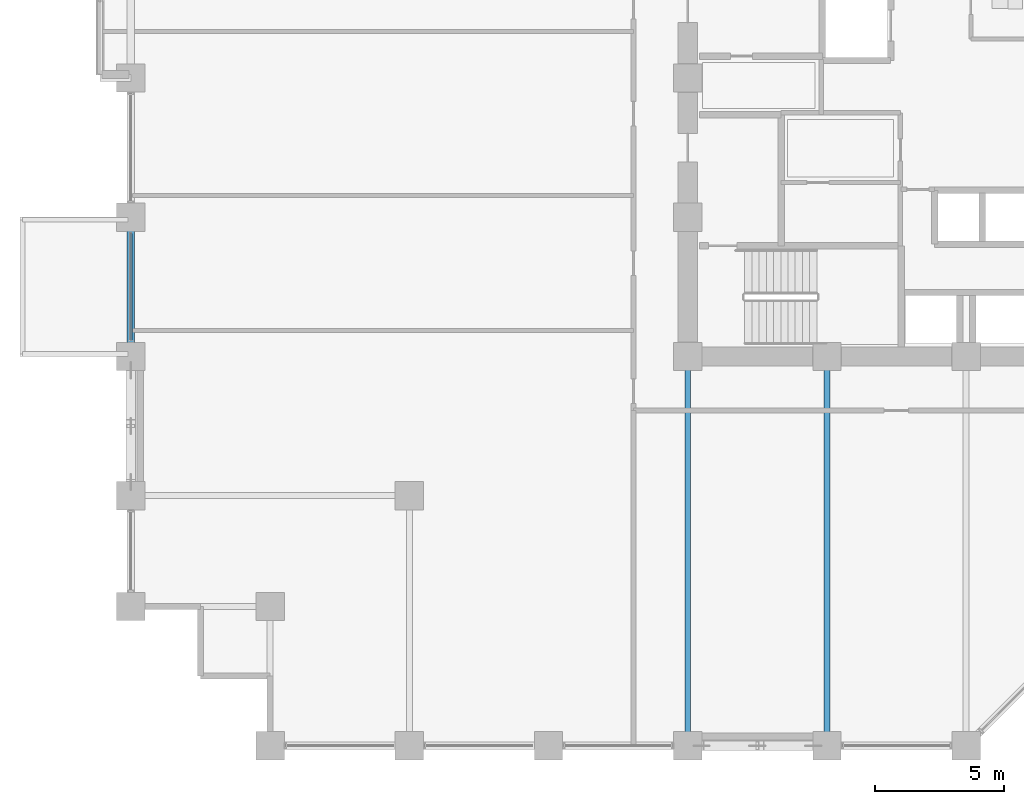
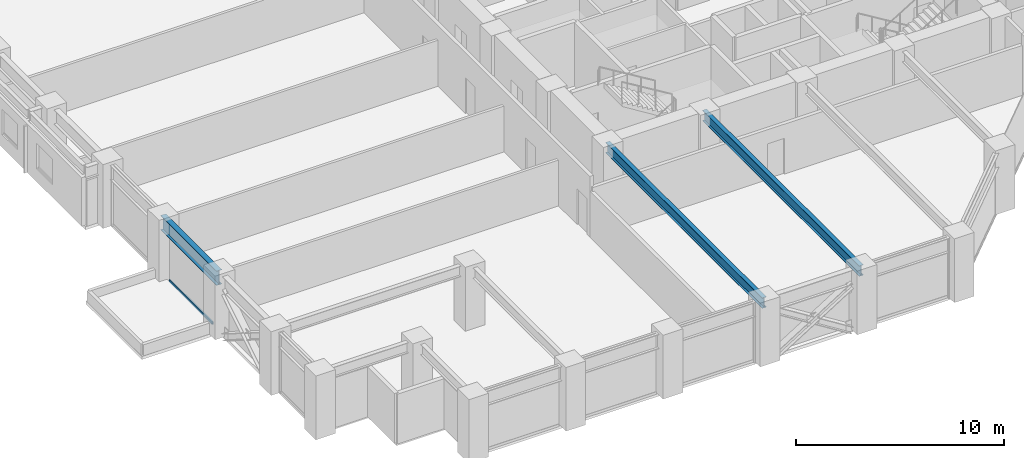
# One storey, part 4 of 25: 3 beams, 1 member, 1 element without a shape of its own.
"""IFC4 building model written with IfcOpenShell, lengths in metres."""

from ifc_helpers import new_model, si_unit, direction, frame, origin, origin_2d, place, context, subcontext, project, spatial, hollow_rectangle, i_section, extrude, material, layer, layer_set, material_profile, profile_set, type_object, element, aggregate, save


model = new_model("IFC4")

# Units and contexts
model_context = context("Model", 3, precision=1e-05, world=origin(), true_north=direction((0.0, 1.0)))
body_context = subcontext(model_context, "Body", "Model", "MODEL_VIEW")
ifc_project = project(units=[si_unit("LENGTHUNIT", "METRE"), si_unit("AREAUNIT", "SQUARE_METRE"), si_unit("VOLUMEUNIT", "CUBIC_METRE"), si_unit("PLANEANGLEUNIT", "RADIAN"), si_unit("MASSUNIT", "GRAM", prefix="KILO")], contexts=[model_context])

# Site, building, storey
site_placement = place(None, origin())
site = spatial("IfcSite", under=ifc_project, at=site_placement, CompositionType="ELEMENT")
building_placement = place(site_placement, origin())
building = spatial("IfcBuilding", under=site, at=building_placement, Name="Surkhivell Harbour Commons", CompositionType="ELEMENT")
storey_placement = place(building_placement, frame((0.0, 0.0, 94.5)))
storey = spatial("IfcBuildingStorey", under=building, at=storey_placement, Name="L24", CompositionType="ELEMENT", Elevation=94.5)

# Beams
ifc_material_1 = material(Name="Steel S355", Category="steel")
ifc_material_profile_1 = material_profile(ifc_material_1, i_section(OverallWidth=0.22998046875, OverallDepth=0.616943359375, WebThickness=0.01318359375, FlangeThickness=0.022216796875, at=origin_2d()), Name="UB610x229x140")
ifc_profile_set_1 = profile_set([ifc_material_profile_1], Name="Steel S355")
beam_type_1 = type_object("IfcBeamType", Name="BM-GRD-610B", PredefinedType="BEAM", material=ifc_profile_set_1)
for number, where, z_axis, x_axis, name in (
    (1, (-10.800048828125, -25.89990234375, 3.261474609375), (0.0, 1.0, 0.0), (-1.0, 0.0, 0.0), "L24 Floor Girder (-10.8,-25.9)"),
    (2, (-5.39990234375, -25.89990234375, 3.261474609375), (0.0, 1.0, 0.0), (-1.0, 0.0, 0.0), "L24 Floor Girder (-5.4,-25.9)"),
):
    element("IfcBeam", number, at=place(storey_placement, frame(where, z_axis=z_axis, x_axis=x_axis)), inside=storey, type_object=beam_type_1, Name=name, PredefinedType="BEAM", context=body_context, shape_type="SweptSolid", body=[
        extrude(i_section(OverallWidth=0.22998046875, OverallDepth=0.616943359375, WebThickness=0.01318359375, FlangeThickness=0.022216796875, at=origin_2d()), origin(), (0.0, 0.0, 1.0), 15.099853515625),
    ])
ifc_material_2 = material(Name="Steel S460", Category="steel")
ifc_material_profile_2 = material_profile(ifc_material_2, i_section(OverallWidth=0.2939453125, OverallDepth=0.85107421875, WebThickness=0.01611328125, FlangeThickness=0.02685546875, at=origin_2d()), Name="UB838x292x226")
ifc_profile_set_2 = profile_set([ifc_material_profile_2], Name="Steel S460")
beam_type_2 = type_object("IfcBeamType", Name="BM-SPN-838", PredefinedType="SPANDREL", material=ifc_profile_set_2)
beam_placement = place(storey_placement, frame((-32.39990234375, -10.800048828125, 3.14453125), z_axis=(0.0, 1.0, 0.0), x_axis=(-1.0, 0.0, 0.0)))
element("IfcBeam", 3, at=beam_placement, inside=storey, type_object=beam_type_2, Name="L24 Tube Spandrel (-32.4,-10.8)", PredefinedType="SPANDREL", context=body_context, shape_type="SweptSolid", body=[
    extrude(i_section(OverallWidth=0.2939453125, OverallDepth=0.85107421875, WebThickness=0.01611328125, FlangeThickness=0.02685546875, at=origin_2d()), origin(), (0.0, 0.0, 1.0), 5.400146484375),
])

# Curtain wall, member
ifc_material_3 = material(Name="Anodised pale-metal aluminium and insulated glazing", Category="aluminium")
ifc_layer = layer(ifc_material_3, 0.205078125)
ifc_layer_set = layer_set([ifc_layer], Name="Anodised pale-metal aluminium and insulated glazing")
curtain_wall_type = type_object("IfcCurtainWallType", Name="CW-SYS-Z2", PredefinedType="NOTDEFINED", material=ifc_layer_set)
curtain_wall_placement = place(storey_placement, origin())
curtain_wall = element("IfcCurtainWall", 4, at=curtain_wall_placement, inside=storey, type_object=curtain_wall_type, Name="L24 Curtain Wall CW-L24-E12R1S2", PredefinedType="NOTDEFINED")
ifc_material_4 = material(Name="Anodised pale-metal aluminium alloy 6063-T6", Category="aluminium")
ifc_material_profile_3 = material_profile(ifc_material_4, hollow_rectangle(XDim=0.074951171875, YDim=0.14990234375, WallThickness=0.00341796875, at=origin_2d()), Name="ALU-TRAN-75x150")
ifc_profile_set_3 = profile_set([ifc_material_profile_3], Name="Anodised pale-metal aluminium alloy 6063-T6")
member_type = type_object("IfcMemberType", Name="CWT-150", PredefinedType="USERDEFINED", material=ifc_profile_set_3)
member_placement = place(storey_placement, frame((-32.39990234375, -10.173095703125, 0.074951171875), z_axis=(0.0, 1.0, 0.0), x_axis=(-1.0, 0.0, 0.0)))
member = element("IfcMember", 5, at=member_placement, type_object=member_type, Name="CW-Z2 transom 1.1", ObjectType="TRANSOM", PredefinedType="USERDEFINED", context=body_context, shape_type="SweptSolid", body=[
    extrude(hollow_rectangle(XDim=0.074951171875, YDim=0.14990234375, WallThickness=0.00341796875, at=origin_2d()), origin(), (0.0, 0.0, 1.0), 4.14599609375),
])
aggregate(curtain_wall, [member])

save(model, "model.ifc")
